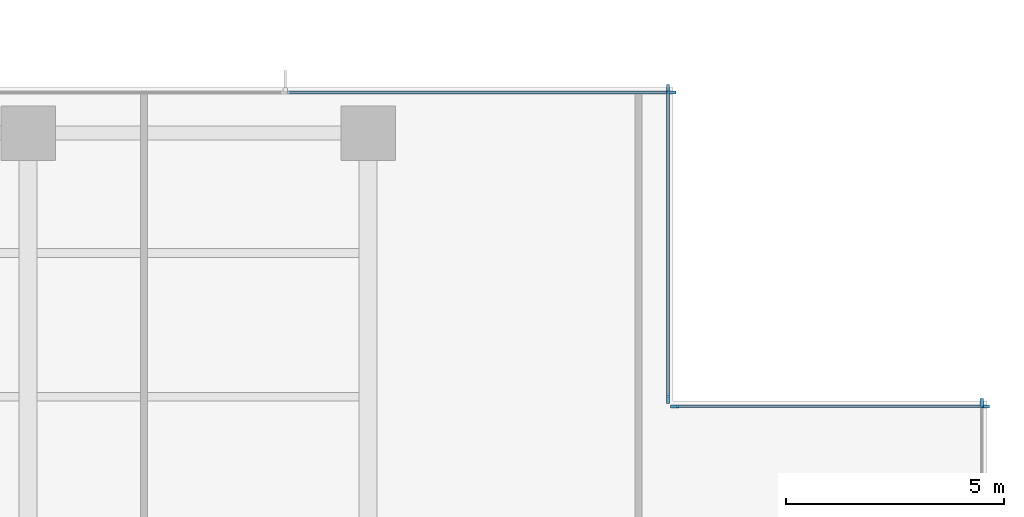
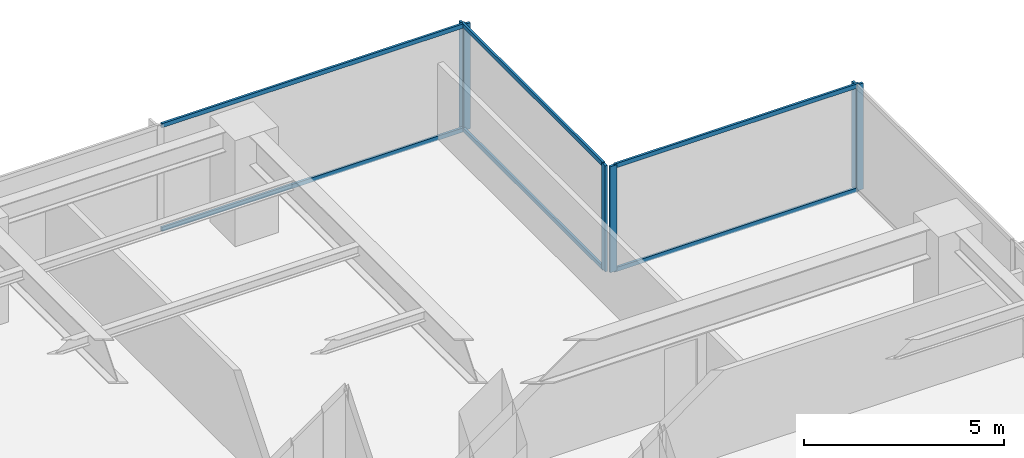
# One storey, part 6 of 17: 12 members, 4 elements without a shape of their own.
"""IFC4 building model written with IfcOpenShell, lengths in metres."""

from ifc_helpers import new_model, si_unit, direction, frame, origin, origin_2d, place, context, subcontext, project, spatial, rectangle, extrude, material, layer, layer_set, material_profile, profile_set, type_object, element, aggregate, save


model = new_model("IFC4")

# Units and contexts
model_context = context("Model", 3, precision=1e-05, world=origin(), true_north=direction((0.0, 1.0)))
body_context = subcontext(model_context, "Body", "Model", "MODEL_VIEW")
ifc_project = project(units=[si_unit("LENGTHUNIT", "METRE"), si_unit("AREAUNIT", "SQUARE_METRE"), si_unit("VOLUMEUNIT", "CUBIC_METRE"), si_unit("PLANEANGLEUNIT", "RADIAN"), si_unit("MASSUNIT", "GRAM", prefix="KILO")], contexts=[model_context])

# Site, building, storey
site_placement = place(None, origin())
site = spatial("IfcSite", under=ifc_project, at=site_placement, CompositionType="ELEMENT")
building_placement = place(site_placement, origin())
building = spatial("IfcBuilding", under=site, at=building_placement, Name="Qalmaran Belvedere Hotel", CompositionType="ELEMENT")
storey_placement = place(building_placement, frame((0.0, 0.0, 119.699951171875)))
storey = spatial("IfcBuildingStorey", under=building, at=storey_placement, Name="L30", CompositionType="ELEMENT", Elevation=119.699951171875)

# Curtain wall, member
ifc_material = material(Name="Anodised Bronze Aluminium", Category="aluminium")
ifc_layer = layer(ifc_material, 0.199951171875, Name="Anodised Bronze Aluminium")
ifc_layer_set = layer_set([ifc_layer], Name="Anodised Bronze Aluminium")
curtain_wall_type = type_object("IfcCurtainWallType", Name="CW3-TOWER-LOWMID", PredefinedType="NOTDEFINED", material=ifc_layer_set)
curtain_wall_1_placement = place(storey_placement, origin())
curtain_wall_1 = element("IfcCurtainWall", 1, at=curtain_wall_1_placement, inside=storey, type_object=curtain_wall_type, Name="L30 Curtain Wall CW3", PredefinedType="NOTDEFINED")
ifc_material_profile_1 = material_profile(ifc_material, rectangle(XDim=0.070068359375, YDim=0.18994140625, at=origin_2d()), Name="CWM70X190")
ifc_profile_set_1 = profile_set([ifc_material_profile_1], Name="Anodised Bronze Aluminium")
member_type_1 = type_object("IfcMemberType", Name="CWM-70X190", PredefinedType="MULLION", material=ifc_profile_set_1)
member_1_placement = place(storey_placement, frame((58.8798828125, 39.264892578125, 0.0), z_axis=(0.0, 0.0, 1.0), x_axis=(-1.0, 0.0, 0.0)))
member_1 = element("IfcMember", 2, at=member_1_placement, type_object=member_type_1, Name="CW3 mullion 5", PredefinedType="MULLION", context=body_context, shape_type="SweptSolid", body=[
    extrude(rectangle(XDim=0.070068359375, YDim=0.18994140625, at=origin_2d()), origin(), (0.0, 0.0, 1.0), 3.239990234375),
])
aggregate(curtain_wall_1, [member_1])

# Curtain wall, members
curtain_wall_2_placement = place(storey_placement, origin())
curtain_wall_2 = element("IfcCurtainWall", 3, at=curtain_wall_2_placement, inside=storey, type_object=curtain_wall_type, Name="L30 Curtain Wall CW3", PredefinedType="NOTDEFINED")
member_2_placement = place(storey_placement, frame((58.965087890625, 39.179931640625, 0.0), z_axis=(0.0, 0.0, 1.0), x_axis=(0.0, -1.0, 0.0)))
member_2 = element("IfcMember", 4, at=member_2_placement, type_object=member_type_1, Name="CW3 mullion 1", PredefinedType="MULLION", context=body_context, shape_type="SweptSolid", body=[
    extrude(rectangle(XDim=0.070068359375, YDim=0.18994140625, at=origin_2d()), origin(), (0.0, 0.0, 1.0), 3.239990234375),
])
member_3_placement = place(storey_placement, frame((51.8349609375, 39.179931640625, 0.0), z_axis=(0.0, 0.0, 1.0), x_axis=(0.0, -1.0, 0.0)))
member_3 = element("IfcMember", 5, at=member_3_placement, type_object=member_type_1, Name="CW3 mullion 2", PredefinedType="MULLION", context=body_context, shape_type="SweptSolid", body=[
    extrude(rectangle(XDim=0.070068359375, YDim=0.18994140625, at=origin_2d()), origin(), (0.0, 0.0, 1.0), 3.239990234375),
])

curtain_wall_3_placement = place(storey_placement, origin())
curtain_wall_3 = element("IfcCurtainWall", 6, at=curtain_wall_3_placement, inside=storey, type_object=curtain_wall_type, Name="L30 Curtain Wall CW3", PredefinedType="NOTDEFINED")
member_4_placement = place(storey_placement, frame((51.679931640625, 39.3349609375, 0.0), z_axis=(0.0, 0.0, 1.0), x_axis=(-1.0, 0.0, 0.0)))
member_4 = element("IfcMember", 7, at=member_4_placement, type_object=member_type_1, Name="CW3 mullion 1", PredefinedType="MULLION", context=body_context, shape_type="SweptSolid", body=[
    extrude(rectangle(XDim=0.070068359375, YDim=0.18994140625, at=origin_2d()), origin(), (0.0, 0.0, 1.0), 3.239990234375),
])
member_5_placement = place(storey_placement, frame((51.679931640625, 46.465087890625, 0.0), z_axis=(0.0, 0.0, 1.0), x_axis=(-1.0, 0.0, 0.0)))
member_5 = element("IfcMember", 8, at=member_5_placement, type_object=member_type_1, Name="CW3 mullion 2", PredefinedType="MULLION", context=body_context, shape_type="SweptSolid", body=[
    extrude(rectangle(XDim=0.070068359375, YDim=0.18994140625, at=origin_2d()), origin(), (0.0, 0.0, 1.0), 3.239990234375),
])

# Curtain wall, member
curtain_wall_4_placement = place(storey_placement, origin())
curtain_wall_4 = element("IfcCurtainWall", 9, at=curtain_wall_4_placement, inside=storey, type_object=curtain_wall_type, Name="L30 Curtain Wall CW3", PredefinedType="NOTDEFINED")
member_6_placement = place(storey_placement, frame((51.764892578125, 46.3798828125, 0.0), z_axis=(0.0, 0.0, 1.0), x_axis=(0.0, -1.0, 0.0)))
member_6 = element("IfcMember", 10, at=member_6_placement, type_object=member_type_1, Name="CW3 mullion 1", PredefinedType="MULLION", context=body_context, shape_type="SweptSolid", body=[
    extrude(rectangle(XDim=0.070068359375, YDim=0.18994140625, at=origin_2d()), origin(), (0.0, 0.0, 1.0), 3.239990234375),
])

# Member
ifc_material_profile_2 = material_profile(ifc_material, rectangle(XDim=0.06494140625, YDim=0.1298828125, at=origin_2d()), Name="CWT65X130")
ifc_profile_set_2 = profile_set([ifc_material_profile_2], Name="Anodised Bronze Aluminium")
member_type_2 = type_object("IfcMemberType", Name="CWT-65X130", PredefinedType="USERDEFINED", material=ifc_profile_set_2)
member_7_placement = place(storey_placement, frame((58.929931640625, 39.179931640625, 0.032470703125), z_axis=(-1.0, 0.0, 0.0), x_axis=(0.0, -1.0, 0.0)))
member_7 = element("IfcMember", 11, at=member_7_placement, type_object=member_type_2, Name="CW3 transom 1.1", ObjectType="TRANSOM", PredefinedType="USERDEFINED", context=body_context, shape_type="SweptSolid", body=[
    extrude(rectangle(XDim=0.06494140625, YDim=0.1298828125, at=origin_2d()), origin(), (0.0, 0.0, 1.0), 7.059814453125),
])

member_8_placement = place(storey_placement, frame((58.929931640625, 39.179931640625, 3.20751953125), z_axis=(-1.0, 0.0, 0.0), x_axis=(0.0, -1.0, 0.0)))
member_8 = element("IfcMember", 12, at=member_8_placement, type_object=member_type_2, Name="CW3 transom 1.2", ObjectType="TRANSOM", PredefinedType="USERDEFINED", context=body_context, shape_type="SweptSolid", body=[
    extrude(rectangle(XDim=0.06494140625, YDim=0.1298828125, at=origin_2d()), origin(), (0.0, 0.0, 1.0), 7.059814453125),
])

aggregate(curtain_wall_2, [member_2, member_3, member_7, member_8])

member_9_placement = place(storey_placement, frame((51.679931640625, 39.3701171875, 0.032470703125), z_axis=(0.0, 1.0, 0.0), x_axis=(-1.0, 0.0, 0.0)))
member_9 = element("IfcMember", 13, at=member_9_placement, type_object=member_type_2, Name="CW3 transom 1.1", ObjectType="TRANSOM", PredefinedType="USERDEFINED", context=body_context, shape_type="SweptSolid", body=[
    extrude(rectangle(XDim=0.06494140625, YDim=0.1298828125, at=origin_2d()), origin(), (0.0, 0.0, 1.0), 7.059814453125),
])

member_10_placement = place(storey_placement, frame((51.679931640625, 39.3701171875, 3.20751953125), z_axis=(0.0, 1.0, 0.0), x_axis=(-1.0, 0.0, 0.0)))
member_10 = element("IfcMember", 14, at=member_10_placement, type_object=member_type_2, Name="CW3 transom 1.2", ObjectType="TRANSOM", PredefinedType="USERDEFINED", context=body_context, shape_type="SweptSolid", body=[
    extrude(rectangle(XDim=0.06494140625, YDim=0.1298828125, at=origin_2d()), origin(), (0.0, 0.0, 1.0), 7.059814453125),
])

aggregate(curtain_wall_3, [member_4, member_5, member_9, member_10])

member_11_placement = place(storey_placement, frame((51.72998046875, 46.3798828125, 0.032470703125), z_axis=(-1.0, 0.0, 0.0), x_axis=(0.0, -1.0, 0.0)))
member_11 = element("IfcMember", 15, at=member_11_placement, type_object=member_type_2, Name="CW3 transom 1.1", ObjectType="TRANSOM", PredefinedType="USERDEFINED", context=body_context, shape_type="SweptSolid", body=[
    extrude(rectangle(XDim=0.06494140625, YDim=0.1298828125, at=origin_2d()), origin(), (0.0, 0.0, 1.0), 8.794921875),
])

member_12_placement = place(storey_placement, frame((51.72998046875, 46.3798828125, 3.20751953125), z_axis=(-1.0, 0.0, 0.0), x_axis=(0.0, -1.0, 0.0)))
member_12 = element("IfcMember", 16, at=member_12_placement, type_object=member_type_2, Name="CW3 transom 1.2", ObjectType="TRANSOM", PredefinedType="USERDEFINED", context=body_context, shape_type="SweptSolid", body=[
    extrude(rectangle(XDim=0.06494140625, YDim=0.1298828125, at=origin_2d()), origin(), (0.0, 0.0, 1.0), 8.794921875),
])

aggregate(curtain_wall_4, [member_6, member_11, member_12])

save(model, "model.ifc")
